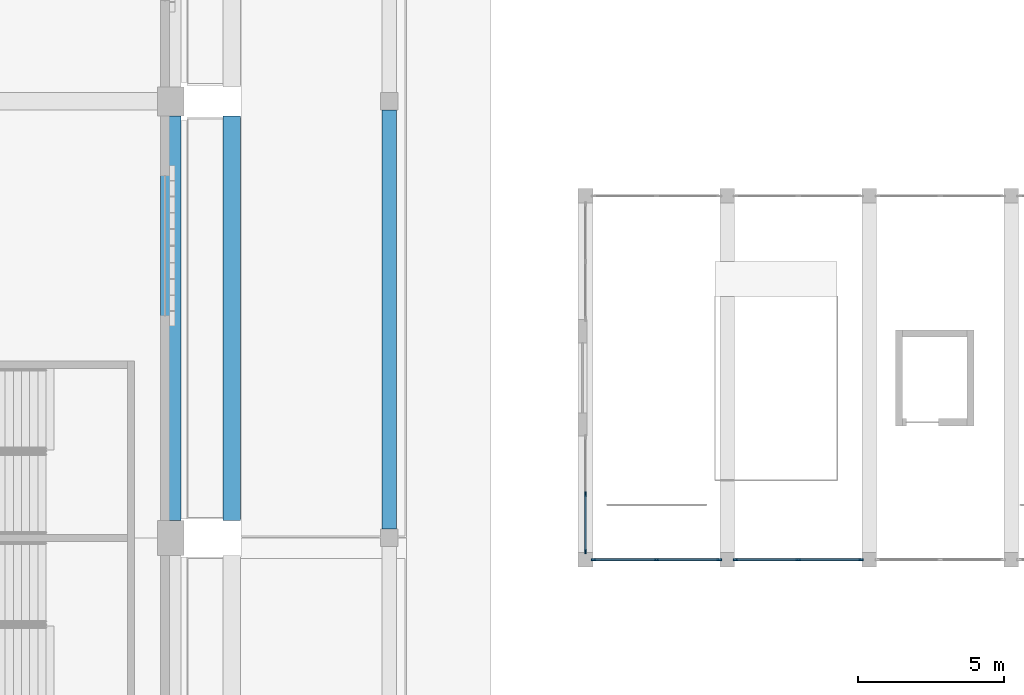
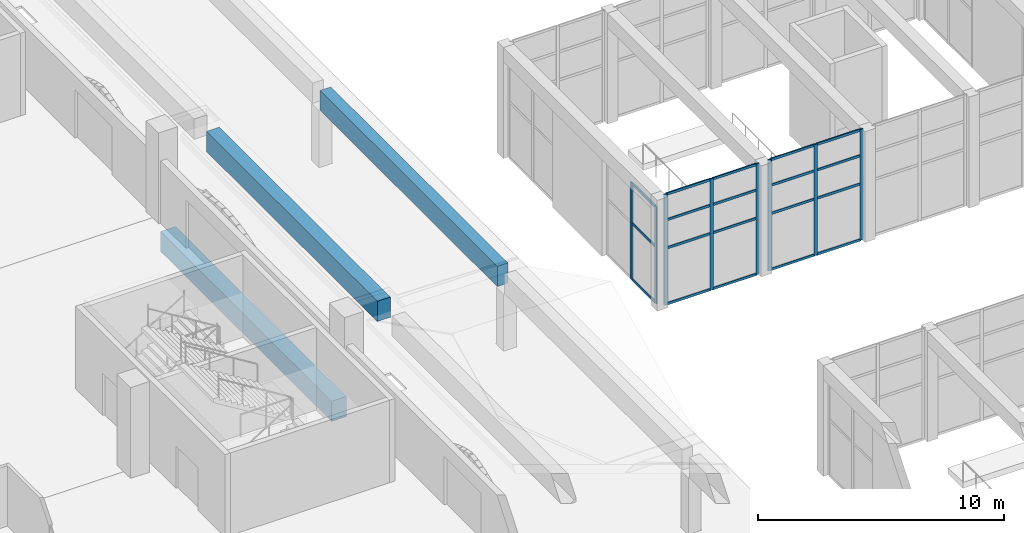
# One storey, part 8 of 175: 27 members, 3 beams, 3 elements without a shape of their own.
"""IFC4 building model written with IfcOpenShell, lengths in metres."""

from ifc_helpers import new_model, si_unit, direction, frame, origin, origin_2d, place, context, subcontext, project, spatial, rectangle, extrude, material, material_profile, profile_set, type_object, element, aggregate, save


model = new_model("IFC4")

# Units and contexts
model_context = context("Model", 3, precision=1e-05, world=origin(), true_north=direction((0.0, 1.0)))
body_context = subcontext(model_context, "Body", "Model", "MODEL_VIEW")
ifc_project = project(units=[si_unit("LENGTHUNIT", "METRE"), si_unit("AREAUNIT", "SQUARE_METRE"), si_unit("VOLUMEUNIT", "CUBIC_METRE"), si_unit("PLANEANGLEUNIT", "RADIAN"), si_unit("MASSUNIT", "GRAM", prefix="KILO")], contexts=[model_context])

# Site, building, storey
site_placement = place(None, origin())
site = spatial("IfcSite", under=ifc_project, at=site_placement, CompositionType="ELEMENT")
building_placement = place(site_placement, origin())
building = spatial("IfcBuilding", under=site, at=building_placement, Name="Ogive Plaza Stadium", CompositionType="ELEMENT")
storey_placement = place(building_placement, origin())
storey = spatial("IfcBuildingStorey", under=building, at=storey_placement, Name="L00", CompositionType="ELEMENT", Elevation=0.0)

# Beams
ifc_material_1 = material(Name="Concrete C40/50", Category="concrete")
ifc_material_profile_1 = material_profile(ifc_material_1, rectangle(XDim=0.5, YDim=1.0, at=origin_2d()), Name="RC 500x1000")
ifc_profile_set_1 = profile_set([ifc_material_profile_1], Name="Concrete C40/50")
beam_type_1 = type_object("IfcBeamType", Name="Colonnade front beam RC 500x1000", PredefinedType="BEAM", material=ifc_profile_set_1)
beam_1_placement = place(storey_placement, frame((91.5, 22.199951171875, 3.300048828125), z_axis=(0.0, -1.0, 0.0), x_axis=(1.0, 0.0, 0.0)))
element("IfcBeam", 1, at=beam_1_placement, inside=storey, type_object=beam_type_1, Name="Colonnade front beam B03", PredefinedType="BEAM", context=body_context, shape_type="SweptSolid", body=[
    extrude(rectangle(XDim=0.5, YDim=1.0, at=origin_2d()), origin(), (0.0, 0.0, 1.0), 14.39990234375),
])
ifc_material_2 = material(Name="Concrete C40/50", Category="concrete")
ifc_material_profile_2 = material_profile(ifc_material_2, rectangle(XDim=0.60009765625, YDim=1.0, at=origin_2d()), Name="RC 600x1000")
ifc_profile_set_2 = profile_set([ifc_material_profile_2], Name="Concrete C40/50")
beam_type_2 = type_object("IfcBeamType", Name="Colonnade rear beam RC 600x1000", PredefinedType="BEAM", material=ifc_profile_set_2)
beam_2_placement = place(storey_placement, frame((86.10009765625, 22.0, 3.300048828125), z_axis=(0.0, -1.0, 0.0), x_axis=(1.0, 0.0, 0.0)))
element("IfcBeam", 2, at=beam_2_placement, inside=storey, type_object=beam_type_2, Name="Colonnade rear beam B03", PredefinedType="BEAM", context=body_context, shape_type="SweptSolid", body=[
    extrude(rectangle(XDim=0.60009765625, YDim=1.0, at=origin_2d()), origin(), (0.0, 0.0, 1.0), 13.89990234375),
])

# Curtain wall, members
ifc_material_3 = material(Name="Aluminium and laminated glass", Category="aluminium")
curtain_wall_type = type_object("IfcCurtainWallType", Name="Headhouse curtain wall", PredefinedType="NOTDEFINED", material=ifc_material_3)
curtain_wall_1_placement = place(storey_placement, origin())
curtain_wall_1 = element("IfcCurtainWall", 3, at=curtain_wall_1_placement, inside=storey, type_object=curtain_wall_type, Name="Headhouse 2 curtain wall", PredefinedType="NOTDEFINED")
ifc_material_4 = material(Name="Bronze-anodised aluminium", Category="aluminium")
ifc_material_profile_3 = material_profile(ifc_material_4, rectangle(XDim=0.06005859375, YDim=0.159912109375, at=origin_2d()), Name="Headhouse mullion 60x160")
ifc_profile_set_3 = profile_set([ifc_material_profile_3], Name="Bronze-anodised aluminium")
member_type_1 = type_object("IfcMemberType", Name="Headhouse mullion 60x160", PredefinedType="MULLION", material=ifc_profile_set_3)
member_1_placement = place(storey_placement, frame((98.530029296875, 6.75, 0.0), z_axis=(0.0, 0.0, 1.0), x_axis=(0.0, 1.0, 0.0)))
member_1 = element("IfcMember", 4, at=member_1_placement, type_object=member_type_1, Name="HCW2A mullion 1", PredefinedType="MULLION", context=body_context, shape_type="SweptSolid", body=[
    extrude(rectangle(XDim=0.06005859375, YDim=0.159912109375, at=origin_2d()), origin(), (0.0, 0.0, 1.0), 5.5),
])
member_2_placement = place(storey_placement, frame((100.6875, 6.75, 0.0), z_axis=(0.0, 0.0, 1.0), x_axis=(0.0, 1.0, 0.0)))
member_2 = element("IfcMember", 5, at=member_2_placement, type_object=member_type_1, Name="HCW2A mullion 2", PredefinedType="MULLION", context=body_context, shape_type="SweptSolid", body=[
    extrude(rectangle(XDim=0.06005859375, YDim=0.159912109375, at=origin_2d()), origin(), (0.0, 0.0, 1.0), 5.5),
])
member_3_placement = place(storey_placement, frame((102.844970703125, 6.75, 0.0), z_axis=(0.0, 0.0, 1.0), x_axis=(0.0, 1.0, 0.0)))
member_3 = element("IfcMember", 6, at=member_3_placement, type_object=member_type_1, Name="HCW2A mullion 3", PredefinedType="MULLION", context=body_context, shape_type="SweptSolid", body=[
    extrude(rectangle(XDim=0.06005859375, YDim=0.159912109375, at=origin_2d()), origin(), (0.0, 0.0, 1.0), 5.5),
])

curtain_wall_2_placement = place(storey_placement, origin())
curtain_wall_2 = element("IfcCurtainWall", 7, at=curtain_wall_2_placement, inside=storey, type_object=curtain_wall_type, Name="Headhouse 2 curtain wall", PredefinedType="NOTDEFINED")
member_4_placement = place(storey_placement, frame((103.405029296875, 6.75, 0.0), z_axis=(0.0, 0.0, 1.0), x_axis=(0.0, 1.0, 0.0)))
member_4 = element("IfcMember", 8, at=member_4_placement, type_object=member_type_1, Name="HCW2A mullion 1", PredefinedType="MULLION", context=body_context, shape_type="SweptSolid", body=[
    extrude(rectangle(XDim=0.06005859375, YDim=0.159912109375, at=origin_2d()), origin(), (0.0, 0.0, 1.0), 5.5),
])
member_5_placement = place(storey_placement, frame((105.5625, 6.75, 0.0), z_axis=(0.0, 0.0, 1.0), x_axis=(0.0, 1.0, 0.0)))
member_5 = element("IfcMember", 9, at=member_5_placement, type_object=member_type_1, Name="HCW2A mullion 2", PredefinedType="MULLION", context=body_context, shape_type="SweptSolid", body=[
    extrude(rectangle(XDim=0.06005859375, YDim=0.159912109375, at=origin_2d()), origin(), (0.0, 0.0, 1.0), 5.5),
])
member_6_placement = place(storey_placement, frame((107.719970703125, 6.75, 0.0), z_axis=(0.0, 0.0, 1.0), x_axis=(0.0, 1.0, 0.0)))
member_6 = element("IfcMember", 10, at=member_6_placement, type_object=member_type_1, Name="HCW2A mullion 3", PredefinedType="MULLION", context=body_context, shape_type="SweptSolid", body=[
    extrude(rectangle(XDim=0.06005859375, YDim=0.159912109375, at=origin_2d()), origin(), (0.0, 0.0, 1.0), 5.5),
])

curtain_wall_3_placement = place(storey_placement, origin())
curtain_wall_3 = element("IfcCurtainWall", 11, at=curtain_wall_3_placement, inside=storey, type_object=curtain_wall_type, Name="Headhouse 2 curtain wall", PredefinedType="NOTDEFINED")
member_7_placement = place(storey_placement, frame((98.25, 7.030029296875, 0.0), z_axis=(0.0, 0.0, 1.0), x_axis=(-1.0, 0.0, 0.0)))
member_7 = element("IfcMember", 12, at=member_7_placement, type_object=member_type_1, Name="HCW2B mullion 1", PredefinedType="MULLION", context=body_context, shape_type="SweptSolid", body=[
    extrude(rectangle(XDim=0.06005859375, YDim=0.159912109375, at=origin_2d()), origin(), (0.0, 0.0, 1.0), 4.800048828125),
])
member_8_placement = place(storey_placement, frame((98.25, 9.0, 0.0), z_axis=(0.0, 0.0, 1.0), x_axis=(-1.0, 0.0, 0.0)))
member_8 = element("IfcMember", 13, at=member_8_placement, type_object=member_type_1, Name="HCW2B mullion 2", PredefinedType="MULLION", context=body_context, shape_type="SweptSolid", body=[
    extrude(rectangle(XDim=0.06005859375, YDim=0.159912109375, at=origin_2d()), origin(), (0.0, 0.0, 1.0), 4.800048828125),
])

# Member
ifc_material_5 = material(Name="Bronze-anodised aluminium", Category="aluminium")
ifc_material_profile_4 = material_profile(ifc_material_5, rectangle(XDim=0.06005859375, YDim=0.1201171875, at=origin_2d()), Name="Headhouse transom 60x120")
ifc_profile_set_4 = profile_set([ifc_material_profile_4], Name="Bronze-anodised aluminium")
member_type_2 = type_object("IfcMemberType", Name="Headhouse transom 60x120", PredefinedType="USERDEFINED", material=ifc_profile_set_4)
member_9_placement = place(storey_placement, frame((98.56005859375, 6.75, 0.030029296875), z_axis=(1.0, 0.0, 0.0), x_axis=(0.0, 1.0, 0.0)))
member_9 = element("IfcMember", 14, at=member_9_placement, type_object=member_type_2, Name="HCW2A transom 1.1", ObjectType="TRANSOM", PredefinedType="USERDEFINED", context=body_context, shape_type="SweptSolid", body=[
    extrude(rectangle(XDim=0.06005859375, YDim=0.1201171875, at=origin_2d()), origin(), (0.0, 0.0, 1.0), 2.097412109375),
])

member_10_placement = place(storey_placement, frame((98.56005859375, 6.75, 2.800048828125), z_axis=(1.0, 0.0, 0.0), x_axis=(0.0, 1.0, 0.0)))
member_10 = element("IfcMember", 15, at=member_10_placement, type_object=member_type_2, Name="HCW2A transom 1.2", ObjectType="TRANSOM", PredefinedType="USERDEFINED", context=body_context, shape_type="SweptSolid", body=[
    extrude(rectangle(XDim=0.06005859375, YDim=0.1201171875, at=origin_2d()), origin(), (0.0, 0.0, 1.0), 2.097412109375),
])

member_11_placement = place(storey_placement, frame((98.56005859375, 6.75, 4.199951171875), z_axis=(1.0, 0.0, 0.0), x_axis=(0.0, 1.0, 0.0)))
member_11 = element("IfcMember", 16, at=member_11_placement, type_object=member_type_2, Name="HCW2A transom 1.3", ObjectType="TRANSOM", PredefinedType="USERDEFINED", context=body_context, shape_type="SweptSolid", body=[
    extrude(rectangle(XDim=0.06005859375, YDim=0.1201171875, at=origin_2d()), origin(), (0.0, 0.0, 1.0), 2.097412109375),
])

member_12_placement = place(storey_placement, frame((98.56005859375, 6.75, 5.469970703125), z_axis=(1.0, 0.0, 0.0), x_axis=(0.0, 1.0, 0.0)))
member_12 = element("IfcMember", 17, at=member_12_placement, type_object=member_type_2, Name="HCW2A transom 1.4", ObjectType="TRANSOM", PredefinedType="USERDEFINED", context=body_context, shape_type="SweptSolid", body=[
    extrude(rectangle(XDim=0.06005859375, YDim=0.1201171875, at=origin_2d()), origin(), (0.0, 0.0, 1.0), 2.097412109375),
])

member_13_placement = place(storey_placement, frame((100.717529296875, 6.75, 0.030029296875), z_axis=(1.0, 0.0, 0.0), x_axis=(0.0, 1.0, 0.0)))
member_13 = element("IfcMember", 18, at=member_13_placement, type_object=member_type_2, Name="HCW2A transom 2.1", ObjectType="TRANSOM", PredefinedType="USERDEFINED", context=body_context, shape_type="SweptSolid", body=[
    extrude(rectangle(XDim=0.06005859375, YDim=0.1201171875, at=origin_2d()), origin(), (0.0, 0.0, 1.0), 2.097412109375),
])

member_14_placement = place(storey_placement, frame((100.717529296875, 6.75, 2.800048828125), z_axis=(1.0, 0.0, 0.0), x_axis=(0.0, 1.0, 0.0)))
member_14 = element("IfcMember", 19, at=member_14_placement, type_object=member_type_2, Name="HCW2A transom 2.2", ObjectType="TRANSOM", PredefinedType="USERDEFINED", context=body_context, shape_type="SweptSolid", body=[
    extrude(rectangle(XDim=0.06005859375, YDim=0.1201171875, at=origin_2d()), origin(), (0.0, 0.0, 1.0), 2.097412109375),
])

member_15_placement = place(storey_placement, frame((100.717529296875, 6.75, 4.199951171875), z_axis=(1.0, 0.0, 0.0), x_axis=(0.0, 1.0, 0.0)))
member_15 = element("IfcMember", 20, at=member_15_placement, type_object=member_type_2, Name="HCW2A transom 2.3", ObjectType="TRANSOM", PredefinedType="USERDEFINED", context=body_context, shape_type="SweptSolid", body=[
    extrude(rectangle(XDim=0.06005859375, YDim=0.1201171875, at=origin_2d()), origin(), (0.0, 0.0, 1.0), 2.097412109375),
])

member_16_placement = place(storey_placement, frame((100.717529296875, 6.75, 5.469970703125), z_axis=(1.0, 0.0, 0.0), x_axis=(0.0, 1.0, 0.0)))
member_16 = element("IfcMember", 21, at=member_16_placement, type_object=member_type_2, Name="HCW2A transom 2.4", ObjectType="TRANSOM", PredefinedType="USERDEFINED", context=body_context, shape_type="SweptSolid", body=[
    extrude(rectangle(XDim=0.06005859375, YDim=0.1201171875, at=origin_2d()), origin(), (0.0, 0.0, 1.0), 2.097412109375),
])

aggregate(curtain_wall_1, [member_1, member_2, member_3, member_9, member_10, member_11, member_12, member_13, member_14, member_15, member_16])

member_17_placement = place(storey_placement, frame((103.43505859375, 6.75, 0.030029296875), z_axis=(1.0, 0.0, 0.0), x_axis=(0.0, 1.0, 0.0)))
member_17 = element("IfcMember", 22, at=member_17_placement, type_object=member_type_2, Name="HCW2A transom 1.1", ObjectType="TRANSOM", PredefinedType="USERDEFINED", context=body_context, shape_type="SweptSolid", body=[
    extrude(rectangle(XDim=0.06005859375, YDim=0.1201171875, at=origin_2d()), origin(), (0.0, 0.0, 1.0), 2.097412109375),
])

member_18_placement = place(storey_placement, frame((103.43505859375, 6.75, 2.800048828125), z_axis=(1.0, 0.0, 0.0), x_axis=(0.0, 1.0, 0.0)))
member_18 = element("IfcMember", 23, at=member_18_placement, type_object=member_type_2, Name="HCW2A transom 1.2", ObjectType="TRANSOM", PredefinedType="USERDEFINED", context=body_context, shape_type="SweptSolid", body=[
    extrude(rectangle(XDim=0.06005859375, YDim=0.1201171875, at=origin_2d()), origin(), (0.0, 0.0, 1.0), 2.097412109375),
])

member_19_placement = place(storey_placement, frame((103.43505859375, 6.75, 4.199951171875), z_axis=(1.0, 0.0, 0.0), x_axis=(0.0, 1.0, 0.0)))
member_19 = element("IfcMember", 24, at=member_19_placement, type_object=member_type_2, Name="HCW2A transom 1.3", ObjectType="TRANSOM", PredefinedType="USERDEFINED", context=body_context, shape_type="SweptSolid", body=[
    extrude(rectangle(XDim=0.06005859375, YDim=0.1201171875, at=origin_2d()), origin(), (0.0, 0.0, 1.0), 2.097412109375),
])

member_20_placement = place(storey_placement, frame((103.43505859375, 6.75, 5.469970703125), z_axis=(1.0, 0.0, 0.0), x_axis=(0.0, 1.0, 0.0)))
member_20 = element("IfcMember", 25, at=member_20_placement, type_object=member_type_2, Name="HCW2A transom 1.4", ObjectType="TRANSOM", PredefinedType="USERDEFINED", context=body_context, shape_type="SweptSolid", body=[
    extrude(rectangle(XDim=0.06005859375, YDim=0.1201171875, at=origin_2d()), origin(), (0.0, 0.0, 1.0), 2.097412109375),
])

member_21_placement = place(storey_placement, frame((105.592529296875, 6.75, 0.030029296875), z_axis=(1.0, 0.0, 0.0), x_axis=(0.0, 1.0, 0.0)))
member_21 = element("IfcMember", 26, at=member_21_placement, type_object=member_type_2, Name="HCW2A transom 2.1", ObjectType="TRANSOM", PredefinedType="USERDEFINED", context=body_context, shape_type="SweptSolid", body=[
    extrude(rectangle(XDim=0.06005859375, YDim=0.1201171875, at=origin_2d()), origin(), (0.0, 0.0, 1.0), 2.097412109375),
])

member_22_placement = place(storey_placement, frame((105.592529296875, 6.75, 2.800048828125), z_axis=(1.0, 0.0, 0.0), x_axis=(0.0, 1.0, 0.0)))
member_22 = element("IfcMember", 27, at=member_22_placement, type_object=member_type_2, Name="HCW2A transom 2.2", ObjectType="TRANSOM", PredefinedType="USERDEFINED", context=body_context, shape_type="SweptSolid", body=[
    extrude(rectangle(XDim=0.06005859375, YDim=0.1201171875, at=origin_2d()), origin(), (0.0, 0.0, 1.0), 2.097412109375),
])

member_23_placement = place(storey_placement, frame((105.592529296875, 6.75, 4.199951171875), z_axis=(1.0, 0.0, 0.0), x_axis=(0.0, 1.0, 0.0)))
member_23 = element("IfcMember", 28, at=member_23_placement, type_object=member_type_2, Name="HCW2A transom 2.3", ObjectType="TRANSOM", PredefinedType="USERDEFINED", context=body_context, shape_type="SweptSolid", body=[
    extrude(rectangle(XDim=0.06005859375, YDim=0.1201171875, at=origin_2d()), origin(), (0.0, 0.0, 1.0), 2.097412109375),
])

member_24_placement = place(storey_placement, frame((105.592529296875, 6.75, 5.469970703125), z_axis=(1.0, 0.0, 0.0), x_axis=(0.0, 1.0, 0.0)))
member_24 = element("IfcMember", 29, at=member_24_placement, type_object=member_type_2, Name="HCW2A transom 2.4", ObjectType="TRANSOM", PredefinedType="USERDEFINED", context=body_context, shape_type="SweptSolid", body=[
    extrude(rectangle(XDim=0.06005859375, YDim=0.1201171875, at=origin_2d()), origin(), (0.0, 0.0, 1.0), 2.097412109375),
])

aggregate(curtain_wall_2, [member_4, member_5, member_6, member_17, member_18, member_19, member_20, member_21, member_22, member_23, member_24])

member_25_placement = place(storey_placement, frame((98.25, 7.06005859375, 0.030029296875), z_axis=(0.0, 1.0, 0.0), x_axis=(-1.0, 0.0, 0.0)))
member_25 = element("IfcMember", 30, at=member_25_placement, type_object=member_type_2, Name="HCW2B transom 1.1", ObjectType="TRANSOM", PredefinedType="USERDEFINED", context=body_context, shape_type="SweptSolid", body=[
    extrude(rectangle(XDim=0.06005859375, YDim=0.1201171875, at=origin_2d()), origin(), (0.0, 0.0, 1.0), 1.909912109375),
])

member_26_placement = place(storey_placement, frame((98.25, 7.06005859375, 2.800048828125), z_axis=(0.0, 1.0, 0.0), x_axis=(-1.0, 0.0, 0.0)))
member_26 = element("IfcMember", 31, at=member_26_placement, type_object=member_type_2, Name="HCW2B transom 1.2", ObjectType="TRANSOM", PredefinedType="USERDEFINED", context=body_context, shape_type="SweptSolid", body=[
    extrude(rectangle(XDim=0.06005859375, YDim=0.1201171875, at=origin_2d()), origin(), (0.0, 0.0, 1.0), 1.909912109375),
])

member_27_placement = place(storey_placement, frame((98.25, 7.06005859375, 4.77001953125), z_axis=(0.0, 1.0, 0.0), x_axis=(-1.0, 0.0, 0.0)))
member_27 = element("IfcMember", 32, at=member_27_placement, type_object=member_type_2, Name="HCW2B transom 1.3", ObjectType="TRANSOM", PredefinedType="USERDEFINED", context=body_context, shape_type="SweptSolid", body=[
    extrude(rectangle(XDim=0.06005859375, YDim=0.1201171875, at=origin_2d()), origin(), (0.0, 0.0, 1.0), 1.909912109375),
])

aggregate(curtain_wall_3, [member_7, member_8, member_25, member_26, member_27])

# Beam
ifc_material_6 = material(Name="Concrete C40/50", Category="concrete")
ifc_material_profile_5 = material_profile(ifc_material_6, rectangle(XDim=0.699951171875, YDim=1.0, at=origin_2d()), Name="RC 700x1000")
ifc_profile_set_5 = profile_set([ifc_material_profile_5], Name="Concrete C40/50")
beam_type_3 = type_object("IfcBeamType", Name="RC spandrel beam 700x1000", PredefinedType="SPANDREL", material=ifc_profile_set_5)
beam_3_placement = place(storey_placement, frame((84.0, 22.0, -0.909912109375), z_axis=(0.0, -1.0, 0.0), x_axis=(1.0, 0.0, 0.0)))
element("IfcBeam", 33, at=beam_3_placement, inside=storey, type_object=beam_type_3, Name="Ring beam F5 L00 B03", PredefinedType="SPANDREL", context=body_context, shape_type="SweptSolid", body=[
    extrude(rectangle(XDim=0.699951171875, YDim=1.0, at=origin_2d()), origin(), (0.0, 0.0, 1.0), 13.89990234375),
])

save(model, "model.ifc")
